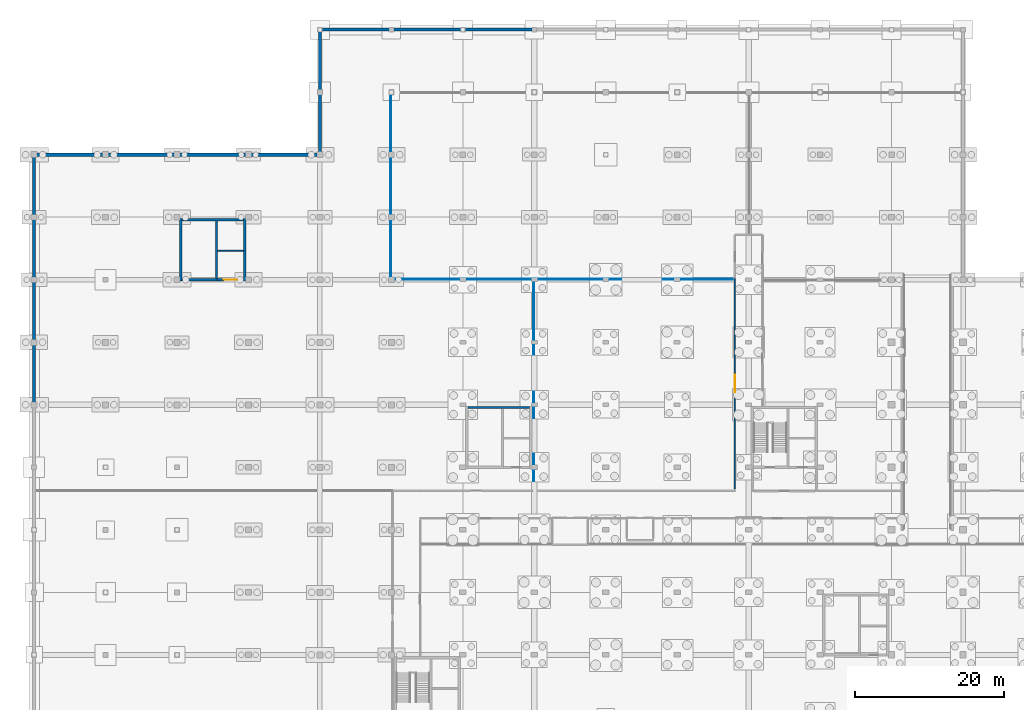
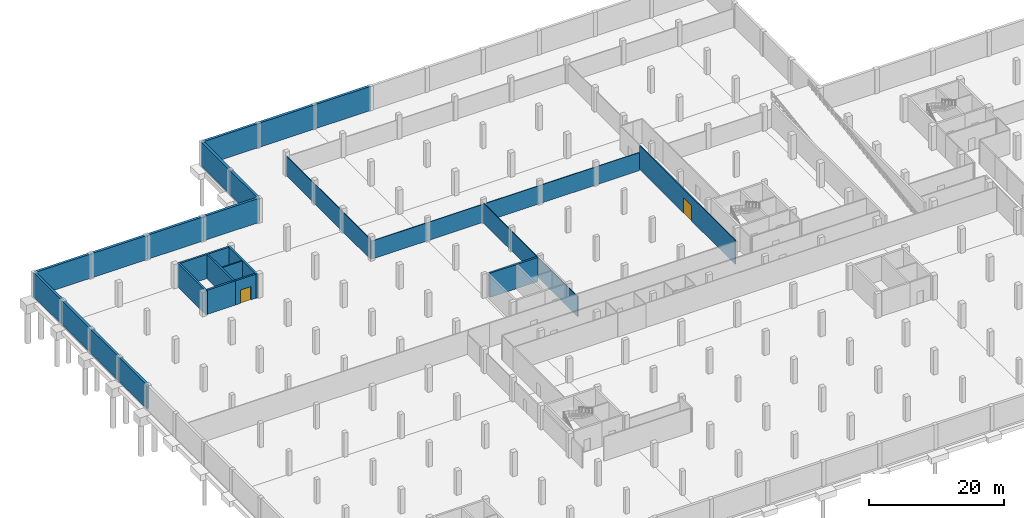
# One storey, part 21 of 26: 26 walls, 2 doors, 2 openings.
"""IFC4 building model written with IfcOpenShell, lengths in metres."""

from ifc_helpers import new_model, si_unit, direction, frame, frame_2d, origin, place, context, subcontext, project, spatial, rectangle, extrude, material, layer, layer_set, type_object, element, fill, save


model = new_model("IFC4")

# Units and contexts
model_context = context("Model", 3, precision=1e-05, world=origin(), true_north=direction((0.0, 1.0)))
body_context = subcontext(model_context, "Body", "Model", "MODEL_VIEW")
ifc_project = project(units=[si_unit("LENGTHUNIT", "METRE"), si_unit("AREAUNIT", "SQUARE_METRE"), si_unit("VOLUMEUNIT", "CUBIC_METRE"), si_unit("PLANEANGLEUNIT", "RADIAN"), si_unit("MASSUNIT", "GRAM", prefix="KILO")], contexts=[model_context])

# Site, building, storey
site_placement = place(None, origin())
site = spatial("IfcSite", under=ifc_project, at=site_placement, CompositionType="ELEMENT")
building_placement = place(site_placement, origin())
building = spatial("IfcBuilding", under=site, at=building_placement, Name="Lornevale Opera House", CompositionType="ELEMENT")
storey_placement = place(building_placement, frame((0.0, 0.0, -9.60009765625)))
storey = spatial("IfcBuildingStorey", under=building, at=storey_placement, Name="B2", CompositionType="ELEMENT", Elevation=-9.60009765625)

# Walls
ifc_material_1 = material(Name="Concrete 40 MPa (CSA A23.1 C-1)", Category="concrete")
ifc_layer_1 = layer(ifc_material_1, 0.419921875)
ifc_layer_set_1 = layer_set([ifc_layer_1], Name="Concrete 40 MPa (CSA A23.1 C-1)")
wall_type_1 = type_object("IfcWallType", Name="Basement Retaining Wall 420", PredefinedType="USERDEFINED", material=ifc_layer_set_1)
wall_1_placement = place(storey_placement, frame((0.0, 67.199951171875, 0.0), z_axis=(0.0, 0.0, 1.0), x_axis=(0.0, 1.0, 0.0)))
element("IfcWall", 1, at=wall_1_placement, inside=storey, type_object=wall_type_1, Name="Basement Escarpment Plinth Wall WL-EXT-0010", ObjectType="RETAINING WALL", PredefinedType="USERDEFINED", context=body_context, shape_type="SweptSolid", body=[
    extrude(rectangle(XDim=8.400146484375, YDim=0.419921875, at=frame_2d((4.2001953125, 0.0))), origin(), (0.0, 0.0, 1.0), 4.380126953125),
])
for number, where, z_axis, x_axis, name in (
    (2, (0.0, 75.60009765625, 0.0), (0.0, 0.0, 1.0), (0.0, 1.0, 0.0), "Basement Escarpment Plinth Wall WL-EXT-0011"),
    (3, (0.0, 84.0, 0.0), (0.0, 0.0, 1.0), (0.0, 1.0, 0.0), "Basement Escarpment Plinth Wall WL-EXT-0012"),
):
    element("IfcWall", number, at=place(storey_placement, frame(where, z_axis=z_axis, x_axis=x_axis)), inside=storey, type_object=wall_type_1, Name=name, ObjectType="RETAINING WALL", PredefinedType="USERDEFINED", context=body_context, shape_type="SweptSolid", body=[
        extrude(rectangle(XDim=8.39990234375, YDim=0.419921875, at=frame_2d((4.199951171875, 0.0))), origin(), (0.0, 0.0, 1.0), 4.380126953125),
    ])
wall_2_placement = place(storey_placement, frame((0.0, 100.800048828125, 0.0), z_axis=(0.0, 0.0, 1.0), x_axis=(1.0, 0.0, 0.0)))
element("IfcWall", 4, at=wall_2_placement, inside=storey, type_object=wall_type_1, Name="Basement Escarpment Plinth Wall WL-EXT-0013", ObjectType="RETAINING WALL", PredefinedType="USERDEFINED", context=body_context, shape_type="SweptSolid", body=[
    extrude(rectangle(XDim=9.60009765625, YDim=0.419921875, at=frame_2d((4.800048828125, 0.0))), origin(), (0.0, 0.0, 1.0), 4.380126953125),
])
wall_3_placement = place(storey_placement, frame((0.0, 92.39990234375, 0.0), z_axis=(0.0, 0.0, 1.0), x_axis=(0.0, 1.0, 0.0)))
element("IfcWall", 5, at=wall_3_placement, inside=storey, type_object=wall_type_1, Name="Basement Escarpment Plinth Wall WL-EXT-0014", ObjectType="RETAINING WALL", PredefinedType="USERDEFINED", context=body_context, shape_type="SweptSolid", body=[
    extrude(rectangle(XDim=8.400146484375, YDim=0.419921875, at=frame_2d((4.2001953125, 0.0))), origin(), (0.0, 0.0, 1.0), 4.380126953125),
])
wall_4_placement = place(storey_placement, frame((9.60009765625, 100.800048828125, 0.0), z_axis=(0.0, 0.0, 1.0), x_axis=(1.0, 0.0, 0.0)))
element("IfcWall", 6, at=wall_4_placement, inside=storey, type_object=wall_type_1, Name="Basement Escarpment Plinth Wall WL-EXT-0016", ObjectType="RETAINING WALL", PredefinedType="USERDEFINED", context=body_context, shape_type="SweptSolid", body=[
    extrude(rectangle(XDim=9.599853515625, YDim=0.419921875, at=frame_2d((4.7998046875, 0.0))), origin(), (0.0, 0.0, 1.0), 4.380126953125),
])
wall_5_placement = place(storey_placement, frame((19.199951171875, 100.800048828125, 0.0), z_axis=(0.0, 0.0, 1.0), x_axis=(1.0, 0.0, 0.0)))
element("IfcWall", 7, at=wall_5_placement, inside=storey, type_object=wall_type_1, Name="Basement Escarpment Plinth Wall WL-EXT-0018", ObjectType="RETAINING WALL", PredefinedType="USERDEFINED", context=body_context, shape_type="SweptSolid", body=[
    extrude(rectangle(XDim=9.60009765625, YDim=0.419921875, at=frame_2d((4.800048828125, 0.0))), origin(), (0.0, 0.0, 1.0), 4.380126953125),
])
wall_6_placement = place(storey_placement, frame((28.800048828125, 100.800048828125, 0.0), z_axis=(0.0, 0.0, 1.0), x_axis=(1.0, 0.0, 0.0)))
element("IfcWall", 8, at=wall_6_placement, inside=storey, type_object=wall_type_1, Name="Basement Escarpment Plinth Wall WL-EXT-0020", ObjectType="RETAINING WALL", PredefinedType="USERDEFINED", context=body_context, shape_type="SweptSolid", body=[
    extrude(rectangle(XDim=9.599853515625, YDim=0.419921875, at=frame_2d((4.7998046875, 0.0))), origin(), (0.0, 0.0, 1.0), 4.380126953125),
])
wall_7_placement = place(storey_placement, frame((38.39990234375, 100.800048828125, 0.0), z_axis=(0.0, 0.0, 1.0), x_axis=(0.0, 1.0, 0.0)))
element("IfcWall", 9, at=wall_7_placement, inside=storey, type_object=wall_type_1, Name="Basement Escarpment Plinth Wall WL-EXT-0022", ObjectType="RETAINING WALL", PredefinedType="USERDEFINED", context=body_context, shape_type="SweptSolid", body=[
    extrude(rectangle(XDim=8.39990234375, YDim=0.419921875, at=frame_2d((4.199951171875, 0.0))), origin(), (0.0, 0.0, 1.0), 4.380126953125),
])
wall_8_placement = place(storey_placement, frame((38.39990234375, 117.60009765625, 0.0), z_axis=(0.0, 0.0, 1.0), x_axis=(1.0, 0.0, 0.0)))
element("IfcWall", 10, at=wall_8_placement, inside=storey, type_object=wall_type_1, Name="Basement Escarpment Plinth Wall WL-EXT-0023", ObjectType="RETAINING WALL", PredefinedType="USERDEFINED", context=body_context, shape_type="SweptSolid", body=[
    extrude(rectangle(XDim=9.60009765625, YDim=0.419921875, at=frame_2d((4.800048828125, 0.0))), origin(), (0.0, 0.0, 1.0), 4.380126953125),
])
wall_9_placement = place(storey_placement, frame((38.39990234375, 109.199951171875, 0.0), z_axis=(0.0, 0.0, 1.0), x_axis=(0.0, 1.0, 0.0)))
element("IfcWall", 11, at=wall_9_placement, inside=storey, type_object=wall_type_1, Name="Basement Escarpment Plinth Wall WL-EXT-0024", ObjectType="RETAINING WALL", PredefinedType="USERDEFINED", context=body_context, shape_type="SweptSolid", body=[
    extrude(rectangle(XDim=8.400146484375, YDim=0.419921875, at=frame_2d((4.2001953125, 0.0))), origin(), (0.0, 0.0, 1.0), 4.380126953125),
])
wall_10_placement = place(storey_placement, frame((48.0, 117.60009765625, 0.0), z_axis=(0.0, 0.0, 1.0), x_axis=(1.0, 0.0, 0.0)))
element("IfcWall", 12, at=wall_10_placement, inside=storey, type_object=wall_type_1, Name="Basement Escarpment Plinth Wall WL-EXT-0026", ObjectType="RETAINING WALL", PredefinedType="USERDEFINED", context=body_context, shape_type="SweptSolid", body=[
    extrude(rectangle(XDim=9.60009765625, YDim=0.419921875, at=frame_2d((4.800048828125, 0.0))), origin(), (0.0, 0.0, 1.0), 4.380126953125),
])
wall_11_placement = place(storey_placement, frame((57.60009765625, 117.60009765625, 0.0), z_axis=(0.0, 0.0, 1.0), x_axis=(1.0, 0.0, 0.0)))
element("IfcWall", 13, at=wall_11_placement, inside=storey, type_object=wall_type_1, Name="Basement Escarpment Plinth Wall WL-EXT-0028", ObjectType="RETAINING WALL", PredefinedType="USERDEFINED", context=body_context, shape_type="SweptSolid", body=[
    extrude(rectangle(XDim=9.599853515625, YDim=0.419921875, at=frame_2d((4.7998046875, 0.0))), origin(), (0.0, 0.0, 1.0), 4.380126953125),
])
ifc_layer_2 = layer(ifc_material_1, 0.320068359375)
ifc_layer_set_2 = layer_set([ifc_layer_2], Name="Concrete 40 MPa (CSA A23.1 C-1)")
wall_type_2 = type_object("IfcWallType", Name="Core Shear Wall 320", PredefinedType="SHEAR", material=ifc_layer_set_2)
wall_12_placement = place(storey_placement, frame((19.860107421875, 84.0, 0.0), z_axis=(0.0, 0.0, 1.0), x_axis=(1.0, 0.0, 0.0)))
element("IfcWall", 14, at=wall_12_placement, inside=storey, type_object=wall_type_2, Name="North-West Workshop Core Core Shear Wall 320 WL-COR-0113", PredefinedType="SHEAR", context=body_context, shape_type="SweptSolid", body=[
    extrude(rectangle(XDim=4.77978515625, YDim=0.320068359375, at=frame_2d((2.389892578125, 0.0))), origin(), (0.0, 0.0, 1.0), 4.380126953125),
])
wall_13_placement = place(storey_placement, frame((28.139892578125, 92.0400390625, 0.0), z_axis=(0.0, 0.0, 1.0), x_axis=(-1.0, 0.0, 0.0)))
element("IfcWall", 15, at=wall_13_placement, inside=storey, type_object=wall_type_2, Name="North-West Workshop Core Core Shear Wall 320 WL-COR-0115", PredefinedType="SHEAR", context=body_context, shape_type="SweptSolid", body=[
    extrude(rectangle(XDim=8.27978515625, YDim=0.320068359375, at=frame_2d((4.139892578125, 0.0))), origin(), (0.0, 0.0, 1.0), 4.380126953125),
])
for number, where, z_axis, x_axis, name in (
    (16, (19.699951171875, 92.199951171875, 0.0), (0.0, 0.0, 1.0), (0.0, -1.0, 0.0), "North-West Workshop Core Core Shear Wall 320 WL-COR-0116"),
    (17, (28.300048828125, 83.840087890625, 0.0), (0.0, 0.0, 1.0), (0.0, 1.0, 0.0), "North-West Workshop Core Core Shear Wall 320 WL-COR-0117"),
):
    element("IfcWall", number, at=place(storey_placement, frame(where, z_axis=z_axis, x_axis=x_axis)), inside=storey, type_object=wall_type_2, Name=name, PredefinedType="SHEAR", context=body_context, shape_type="SweptSolid", body=[
        extrude(rectangle(XDim=8.35986328125, YDim=0.320068359375, at=frame_2d((4.179931640625, 0.0))), origin(), (0.0, 0.0, 1.0), 4.380126953125),
    ])
wall_14_placement = place(storey_placement, frame((66.5400390625, 66.840087890625, 0.0), z_axis=(0.0, 0.0, 1.0), x_axis=(-1.0, 0.0, 0.0)))
element("IfcWall", 18, at=wall_14_placement, inside=storey, type_object=wall_type_2, Name="Auditorium West Tier Core Core Shear Wall 320 WL-COR-0150", PredefinedType="SHEAR", context=body_context, shape_type="SweptSolid", body=[
    extrude(rectangle(XDim=8.280029296875, YDim=0.320068359375, at=frame_2d((4.14013671875, 0.0))), origin(), (0.0, 0.0, 1.0), 4.380126953125),
])

# Wall, opening, door
ifc_material_2 = material(Name="Acoustic Mineral-Core Gypsum Partition", Category="gypsum")
ifc_layer_3 = layer(ifc_material_2, 0.1650390625)
ifc_layer_set_3 = layer_set([ifc_layer_3], Name="Acoustic Mineral-Core Gypsum Partition")
wall_type_3 = type_object("IfcWallType", Name="Corridor Rated Partition 165", PredefinedType="PARTITIONING", material=ifc_layer_set_3)
wall_15_placement = place(storey_placement, frame((94.139892578125, 55.909912109375, 0.0), z_axis=(0.0, 0.0, 1.0), x_axis=(0.0, 1.0, 0.0)))
wall_15 = element("IfcWall", 19, at=wall_15_placement, inside=storey, type_object=wall_type_3, Name="B2 Partition WL-INT-0525", PredefinedType="PARTITIONING", context=body_context, shape_type="SweptSolid", body=[
    extrude(rectangle(XDim=28.2900390625, YDim=0.1650390625, at=frame_2d((14.14501953125, 0.0))), origin(), (0.0, 0.0, 1.0), 4.35009765625),
])
opening_1_placement = place(wall_15_placement, frame((12.945068359375, 0.0, 0.0)))
opening_1 = element("IfcOpeningElement", 20, at=opening_1_placement, cuts=wall_15, Name="Opening DR-T16", PredefinedType="OPENING", context=body_context, shape_type="SweptSolid", body=[
    extrude(rectangle(XDim=2.39990234375, YDim=2.800048828125, at=frame_2d((1.199951171875, 1.39990234375))), frame((0.0, 0.092529296875, 0.0), z_axis=(0.0, -1.0, 0.0), x_axis=(1.0, 0.0, 0.0)), (0.0, 0.0, 1.0), 0.18505859375),
])
ifc_material_3 = material(Name="Painted Hollow Metal Door Steel", Category="steel")
ifc_layer_4 = layer(ifc_material_3, 2.800048828125)
ifc_layer_set_4 = layer_set([ifc_layer_4], Name="Painted Hollow Metal Door Steel")
door_type_1 = type_object("IfcDoorType", Name="Stage Scenery Double Door 2400x2800", OperationType="NOTDEFINED", PredefinedType="DOOR", material=ifc_layer_set_4)
door_1_placement = place(opening_1_placement, origin())
door_1 = element("IfcDoor", 21, at=door_1_placement, inside=storey, type_object=door_type_1, Name="Sub-Stage Trap Room & Pit Lift Door", OperationType="DOUBLE_SWING_LEFT", OverallHeight=2.800048828125, OverallWidth=2.39990234375, PredefinedType="DOOR", context=body_context, shape_type="SweptSolid", body=[
    extrude(rectangle(XDim=2.39990234375, YDim=2.800048828125, at=frame_2d((1.199951171875, 1.39990234375))), frame((0.0, 0.02490234375, 0.0), z_axis=(0.0, -1.0, 0.0), x_axis=(1.0, 0.0, 0.0)), (0.0, 0.0, 1.0), 0.050048828125),
])
fill(opening_1, door_1)

# Walls
ifc_layer_5 = layer(ifc_material_2, 0.125)
ifc_layer_set_5 = layer_set([ifc_layer_5], Name="Acoustic Mineral-Core Gypsum Partition")
wall_type_4 = type_object("IfcWallType", Name="Dressing Suite Partition 125", PredefinedType="PARTITIONING", material=ifc_layer_set_5)
wall_16_placement = place(storey_placement, frame((67.199951171875, 84.06005859375, 0.0), z_axis=(0.0, 0.0, 1.0), x_axis=(1.0, 0.0, 0.0)))
element("IfcWall", 22, at=wall_16_placement, inside=storey, type_object=wall_type_4, Name="B2 Partition WL-INT-0558", PredefinedType="PARTITIONING", context=body_context, shape_type="SweptSolid", body=[
    extrude(rectangle(XDim=26.68994140625, YDim=0.125, at=frame_2d((13.344970703125, 0.0))), origin(), (0.0, 0.0, 1.0), 3.280029296875),
])
wall_17_placement = place(storey_placement, frame((67.139892578125, 55.909912109375, 0.0), z_axis=(0.0, 0.0, 1.0), x_axis=(0.0, 1.0, 0.0)))
element("IfcWall", 23, at=wall_17_placement, inside=storey, type_object=wall_type_4, Name="B2 Partition WL-INT-0559", PredefinedType="PARTITIONING", context=body_context, shape_type="SweptSolid", body=[
    extrude(rectangle(XDim=28.090087890625, YDim=0.125, at=frame_2d((14.044921875, 0.0))), origin(), (0.0, 0.0, 1.0), 3.580078125),
])
wall_18_placement = place(storey_placement, frame((48.0, 84.06005859375, 0.0), z_axis=(0.0, 0.0, 1.0), x_axis=(1.0, 0.0, 0.0)))
element("IfcWall", 24, at=wall_18_placement, inside=storey, type_object=wall_type_4, Name="B2 Partition WL-INT-0562", PredefinedType="PARTITIONING", context=body_context, shape_type="SweptSolid", body=[
    extrude(rectangle(XDim=19.139892578125, YDim=0.125, at=frame_2d((9.56982421875, 0.0))), origin(), (0.0, 0.0, 1.0), 3.280029296875),
])
wall_19_placement = place(storey_placement, frame((47.93994140625, 84.0, 0.0), z_axis=(0.0, 0.0, 1.0), x_axis=(0.0, 1.0, 0.0)))
element("IfcWall", 25, at=wall_19_placement, inside=storey, type_object=wall_type_4, Name="B2 Partition WL-INT-0563", PredefinedType="PARTITIONING", context=body_context, shape_type="SweptSolid", body=[
    extrude(rectangle(XDim=25.199951171875, YDim=0.125, at=frame_2d((12.60009765625, 0.0))), origin(), (0.0, 0.0, 1.0), 3.580078125),
])

# Wall, opening, door
ifc_layer_6 = layer(ifc_material_1, 0.280029296875)
ifc_layer_set_6 = layer_set([ifc_layer_6], Name="Concrete 40 MPa (CSA A23.1 C-1)")
wall_type_5 = type_object("IfcWallType", Name="Elevator Shaft Wall 280", PredefinedType="SHEAR", material=ifc_layer_set_6)
wall_20_placement = place(storey_placement, frame((24.639892578125, 84.0, 0.0), z_axis=(0.0, 0.0, 1.0), x_axis=(1.0, 0.0, 0.0)))
wall_20 = element("IfcWall", 26, at=wall_20_placement, inside=storey, type_object=wall_type_5, Name="North-West Workshop Core Elevator Shaft Wall 280 WL-COR-0114", PredefinedType="SHEAR", context=body_context, shape_type="SweptSolid", body=[
    extrude(rectangle(XDim=3.5, YDim=0.280029296875, at=frame_2d((1.75, 0.0))), origin(), (0.0, 0.0, 1.0), 4.380126953125),
])
opening_2_placement = place(wall_20_placement, frame((0.860107421875, 0.0, 0.0)))
opening_2 = element("IfcOpeningElement", 27, at=opening_2_placement, cuts=wall_20, Name="Opening DR-T27", PredefinedType="OPENING", context=body_context, shape_type="SweptSolid", body=[
    extrude(rectangle(XDim=1.800048828125, YDim=2.39990234375, at=frame_2d((0.89990234375, 1.199951171875))), frame((0.0, 0.14990234375, 0.0), z_axis=(0.0, -1.0, 0.0), x_axis=(1.0, 0.0, 0.0)), (0.0, 0.0, 1.0), 0.300048828125),
])
ifc_layer_7 = layer(ifc_material_3, 2.39990234375)
ifc_layer_set_7 = layer_set([ifc_layer_7], Name="Painted Hollow Metal Door Steel")
door_type_2 = type_object("IfcDoorType", Name="Freight Lift Landing Door 1800x2400", OperationType="NOTDEFINED", PredefinedType="DOOR", material=ifc_layer_set_7)
door_2_placement = place(opening_2_placement, origin())
door_2 = element("IfcDoor", 28, at=door_2_placement, inside=storey, type_object=door_type_2, Name="L-B1 Landing Door B2", OperationType="SLIDING_TO_LEFT", OverallHeight=2.39990234375, OverallWidth=1.800048828125, PredefinedType="DOOR", context=body_context, shape_type="SweptSolid", body=[
    extrude(rectangle(XDim=1.800048828125, YDim=2.39990234375, at=frame_2d((0.89990234375, 1.199951171875))), frame((0.0, 0.02490234375, 0.0), z_axis=(0.0, -1.0, 0.0), x_axis=(1.0, 0.0, 0.0)), (0.0, 0.0, 1.0), 0.050048828125),
])
fill(opening_2, door_2)

# Walls
wall_21_placement = place(storey_placement, frame((24.5, 84.159912109375, 0.0), z_axis=(0.0, 0.0, 1.0), x_axis=(0.0, 1.0, 0.0)))
element("IfcWall", 29, at=wall_21_placement, inside=storey, type_object=wall_type_5, Name="North-West Workshop Core Elevator Shaft Wall 280 WL-COR-0118", PredefinedType="SHEAR", context=body_context, shape_type="SweptSolid", body=[
    extrude(rectangle(XDim=7.719970703125, YDim=0.280029296875, at=frame_2d((3.85986328125, 0.0))), origin(), (0.0, 0.0, 1.0), 4.380126953125),
])
ifc_material_4 = material(Name="Moisture-Resistant Ceramic & Gypsum Partition", Category="gypsum")
ifc_layer_8 = layer(ifc_material_4, 0.179931640625)
ifc_layer_set_8 = layer_set([ifc_layer_8], Name="Moisture-Resistant Ceramic & Gypsum Partition")
wall_type_6 = type_object("IfcWallType", Name="Riser Shaft Wall 180", PredefinedType="SOLIDWALL", material=ifc_layer_set_8)
wall_22_placement = place(storey_placement, frame((24.639892578125, 87.89990234375, 0.0), z_axis=(0.0, 0.0, 1.0), x_axis=(1.0, 0.0, 0.0)))
element("IfcWall", 30, at=wall_22_placement, inside=storey, type_object=wall_type_6, Name="North-West Workshop Core Riser Shaft Wall 180 WL-COR-0119", PredefinedType="SOLIDWALL", context=body_context, shape_type="SweptSolid", body=[
    extrude(rectangle(XDim=3.5, YDim=0.179931640625, at=frame_2d((1.75, 0.0))), origin(), (0.0, 0.0, 1.0), 4.380126953125),
])

save(model, "model.ifc")
